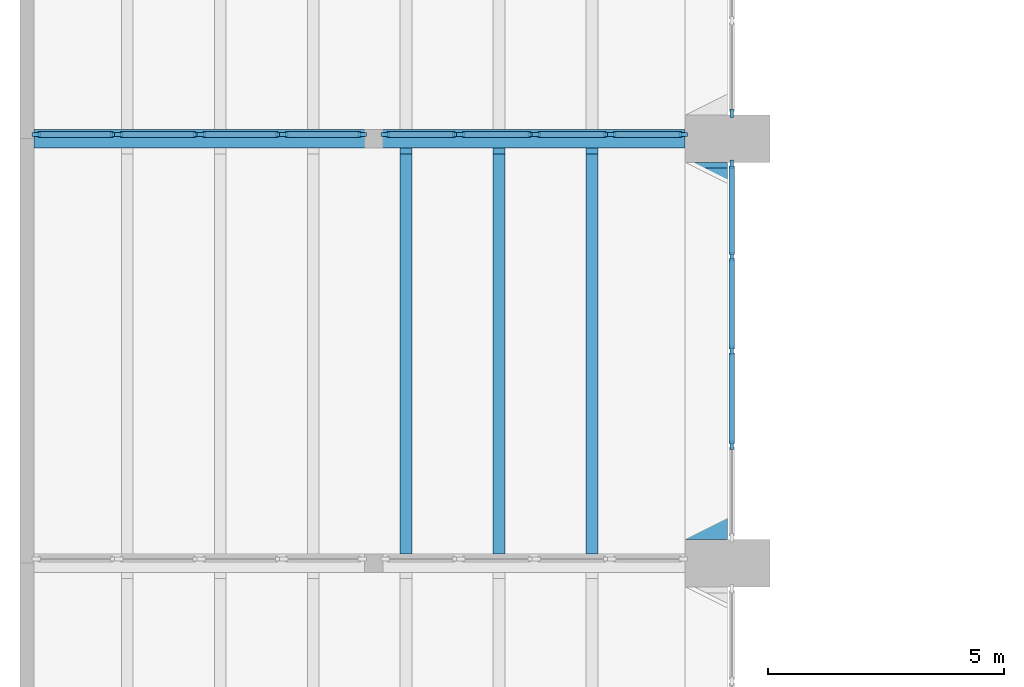
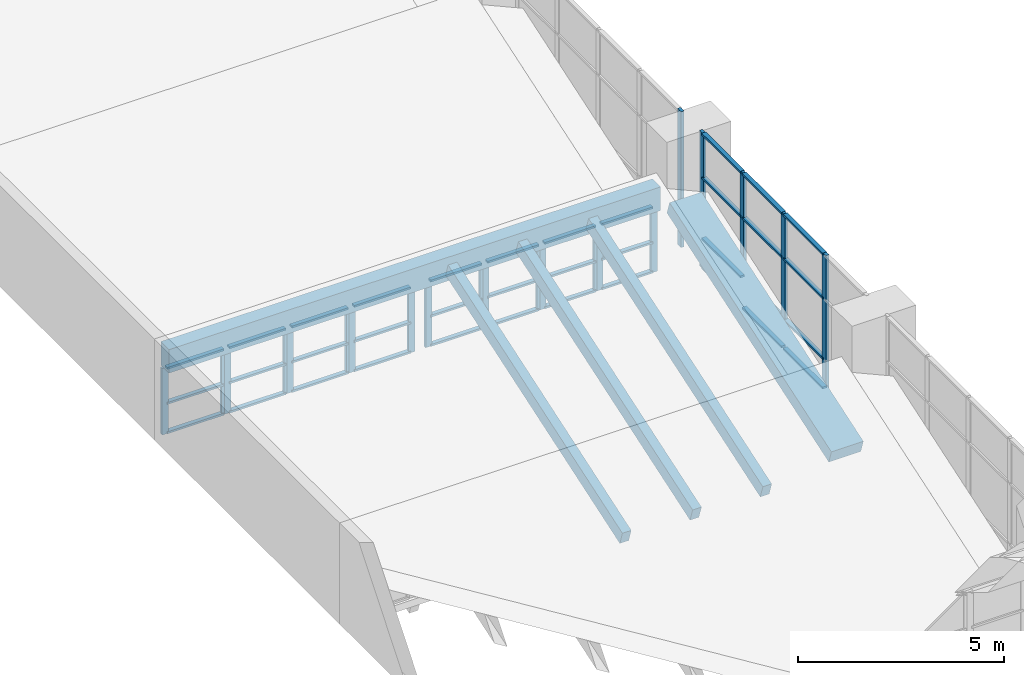
# One storey, part 11 of 43: 57 members, 5 beams, 10 elements without a shape of their own.
"""IFC4 building model written with IfcOpenShell, lengths in metres."""

import ifcopenshell
import ifcopenshell.guid

model = None  # the IFC model being written
_history = None  # IfcOwnerHistory: only IFC2X3 demands one
_inside = {}  # id of a spatial element -> (the spatial element, [elements in it])
_under = {}  # id of a project, library or spatial element -> (it, [spatial elements below it])
_declared = {}  # id of a project -> (the project, [libraries it declares])
_typed = {}  # id of a type object -> (the type object, [elements of that type])
_made_of = {}  # id of a material, layer set ... -> (it, [elements and type objects made of it])


def new_model(schema):
    """Start an empty IFC model of exactly this schema.

    Asked for "IFC4X3", IfcOpenShell would pick the latest addendum, in which some entities
    have other attributes; the version numbers below select the first issue.
    IFC2X3 requires an IfcOwnerHistory on every rooted entity: one is made here for all.
    """
    global model, _history
    if schema == "IFC4X3":
        model = ifcopenshell.file(schema_version=(4, 3, 0, 0))
    else:
        model = ifcopenshell.file(schema=schema)
    _inside.clear()
    _under.clear()
    _declared.clear()
    _typed.clear()
    _made_of.clear()
    _history = None
    if model.schema == "IFC2X3":
        org = make("IfcOrganization", Name="unknown")
        user = make(
            "IfcPersonAndOrganization",
            ThePerson=make("IfcPerson", FamilyName="unknown"),
            TheOrganization=org,
        )
        app = make(
            "IfcApplication",
            ApplicationDeveloper=org,
            Version="unknown",
            ApplicationFullName="unknown",
            ApplicationIdentifier="unknown",
        )
        _history = make(
            "IfcOwnerHistory",
            OwningUser=user,
            OwningApplication=app,
            ChangeAction="ADDED",
            CreationDate=0,
        )
    return model


def make(cls, **values):
    """One entity of the class cls with the attributes given. An attribute that is None is left unset."""
    return model.create_entity(
        cls, **{name: value for name, value in values.items() if value is not None}
    )


def rooted(cls, **values):
    """An entity with a GlobalId (a new one), such as an element, a storey or a relation."""
    return make(cls, GlobalId=ifcopenshell.guid.new(), OwnerHistory=_history, **values)


def si_unit(unit_type, name, prefix=None):
    """IfcSIUnit, for example si_unit("LENGTHUNIT", "METRE", prefix="MILLI")."""
    return make("IfcSIUnit", UnitType=unit_type, Prefix=prefix, Name=name)


def assignment(units):
    """IfcUnitAssignment: the units of a project."""
    return None if units is None else make("IfcUnitAssignment", Units=units)


def point(xyz):
    """IfcCartesianPoint."""
    return None if xyz is None else make("IfcCartesianPoint", Coordinates=xyz)


def direction(xyz):
    """IfcDirection."""
    return None if xyz is None else make("IfcDirection", DirectionRatios=xyz)


def frame(location, z_axis=None, x_axis=None):
    """IfcAxis2Placement3D, a coordinate frame: its origin and axes. An axis left out is left unset."""
    return make(
        "IfcAxis2Placement3D",
        Location=point(location),
        Axis=direction(z_axis),
        RefDirection=direction(x_axis),
    )


def frame_2d(location, x_axis=None):
    """IfcAxis2Placement2D, a coordinate frame in the plane: its origin and x axis."""
    return make(
        "IfcAxis2Placement2D", Location=point(location), RefDirection=direction(x_axis)
    )


def origin():
    """The frame at (0, 0, 0) with its axes left unset."""
    return frame((0.0, 0.0, 0.0))


def origin_2d():
    """The frame at (0, 0) in the plane with its x axis left unset."""
    return frame_2d((0.0, 0.0))


def place(relative_to, where):
    """IfcLocalPlacement: puts the frame where relative to a parent placement (None: the world)."""
    return make(
        "IfcLocalPlacement", PlacementRelTo=relative_to, RelativePlacement=where
    )


def context(
    kind, dimensions, precision=None, world=None, true_north=None, identifier=None
):
    """IfcGeometricRepresentationContext, for example the 3D "Model" context."""
    return make(
        "IfcGeometricRepresentationContext",
        ContextIdentifier=identifier,
        ContextType=kind,
        CoordinateSpaceDimension=dimensions,
        Precision=precision,
        WorldCoordinateSystem=world,
        TrueNorth=true_north,
    )


def subcontext(parent, identifier, kind, view, scale=None):
    """IfcGeometricRepresentationSubContext, for example "Body" below "Model"."""
    return make(
        "IfcGeometricRepresentationSubContext",
        ContextIdentifier=identifier,
        ContextType=kind,
        ParentContext=parent,
        TargetScale=scale,
        TargetView=view,
    )


def project(units=None, contexts=None):
    """IfcProject with its units and contexts."""
    return rooted(
        "IfcProject",
        Name="project",
        RepresentationContexts=contexts,
        UnitsInContext=assignment(units),
    )


def spatial(cls, under=None, at=None, **own):
    """A site, building, storey or space (cls), placed at a placement, below another one or the project."""
    s = rooted(cls, ObjectPlacement=at, **own)
    if under is not None:
        _under.setdefault(under.id(), (under, []))[1].append(s)
    return s


def profile(cls, at=None, kind="AREA", **sizes):
    """A parametric profile (cls). Its sizes go by their IFC names, for example OverallWidth=200.0."""
    return make(cls, ProfileType=kind, Position=at, **sizes)


def rectangle(**sizes):
    """IfcRectangleProfileDef."""
    return profile("IfcRectangleProfileDef", **sizes)


def extrude(swept, where, along, depth):
    """IfcExtrudedAreaSolid: the profile swept, set in the frame where, extruded along a direction by depth."""
    return make(
        "IfcExtrudedAreaSolid",
        SweptArea=swept,
        Position=where,
        ExtrudedDirection=direction(along),
        Depth=depth,
    )


def shape(context_of_items, identifier, shape_type, items):
    """IfcShapeRepresentation: the items that make up one representation, for example the "Body"."""
    return make(
        "IfcShapeRepresentation",
        ContextOfItems=context_of_items,
        RepresentationIdentifier=identifier,
        RepresentationType=shape_type,
        Items=items,
    )


def material(Name=None, Category=None):
    """IfcMaterial."""
    return make("IfcMaterial", Name=Name, Category=Category)


def material_profile(
    of_material, cross_section, Name=None, Category=None, Priority=None
):
    """IfcMaterialProfile: a cross section and its material."""
    return make(
        "IfcMaterialProfile",
        Name=Name,
        Material=of_material,
        Profile=cross_section,
        Priority=Priority,
        Category=Category,
    )


def profile_set(profiles, Name=None, composite=None):
    """IfcMaterialProfileSet."""
    return make(
        "IfcMaterialProfileSet",
        Name=Name,
        MaterialProfiles=profiles,
        CompositeProfile=composite,
    )


def made_of(thing, what):
    """Note that an element or type object is made of a material, layer set ...; save() writes the relation."""
    if what is not None:
        _made_of.setdefault(what.id(), (what, []))[1].append(thing)
    return thing


def type_object(cls, material=None, **own):
    """A type object (cls), such as IfcWallType, which elements share."""
    return made_of(rooted(cls, **own), material)


def element(
    cls,
    number,
    at=None,
    inside=None,
    cuts=None,
    type_object=None,
    material=None,
    context=None,
    identifier="Body",
    shape_type=None,
    held_by="IfcProductDefinitionShape",
    body=None,
    shapes=None,
    **own,
):
    """One element of the class cls, such as IfcWall. Its Tag is "e" and its number.

    at: its placement. inside: the storey or other place that contains it. cuts: it is an
    opening in that element (IfcRelVoidsElement). A single representation is given by context,
    identifier, shape_type and body (its items); several are given by shapes. held_by: the class
    of the entity that holds the representations. save() writes the other relations.
    """
    e = rooted(cls, Tag="e%d" % number, ObjectPlacement=at, **own)
    if body is not None:
        shapes = [shape(context, identifier, shape_type, body)]
    if shapes is not None:
        e.Representation = make(held_by, Representations=shapes)
    if inside is not None:
        _inside.setdefault(inside.id(), (inside, []))[1].append(e)
    if cuts is not None:
        rooted(
            "IfcRelVoidsElement", RelatingBuildingElement=cuts, RelatedOpeningElement=e
        )
    if type_object is not None:
        _typed.setdefault(type_object.id(), (type_object, []))[1].append(e)
    return made_of(e, material)


def aggregate(whole, parts):
    """IfcRelAggregates: a whole, such as a stair, and the parts it consists of."""
    return rooted("IfcRelAggregates", RelatingObject=whole, RelatedObjects=parts)


def save(model, path):
    """Write the relations noted so far, then the file.

    IfcRelAggregates (storeys below a building ...), IfcRelContainedInSpatialStructure (elements
    in a storey), IfcRelDefinesByType, IfcRelAssociatesMaterial and IfcRelDeclares: one each for
    every whole, place, type object, material and project.
    """
    for whole, parts in _under.values():
        aggregate(whole, parts)
    for where, things in _inside.values():
        rooted(
            "IfcRelContainedInSpatialStructure",
            RelatedElements=things,
            RelatingStructure=where,
        )
    for kind, things in _typed.values():
        rooted("IfcRelDefinesByType", RelatedObjects=things, RelatingType=kind)
    for what, things in _made_of.values():
        rooted("IfcRelAssociatesMaterial", RelatedObjects=things, RelatingMaterial=what)
    for by, libraries in _declared.values():
        rooted("IfcRelDeclares", RelatingContext=by, RelatedDefinitions=libraries)
    model.write(path)


model = new_model("IFC4")

# Units and contexts
model_context = context("Model", 3, precision=1e-05, world=origin(), true_north=direction((0.0, 1.0)))
body_context = subcontext(model_context, "Body", "Model", "MODEL_VIEW")
ifc_project = project(units=[si_unit("LENGTHUNIT", "METRE"), si_unit("AREAUNIT", "SQUARE_METRE"), si_unit("VOLUMEUNIT", "CUBIC_METRE"), si_unit("PLANEANGLEUNIT", "RADIAN"), si_unit("MASSUNIT", "GRAM", prefix="KILO")], contexts=[model_context])

# Site, building, storey
site_placement = place(None, origin())
site = spatial("IfcSite", under=ifc_project, at=site_placement, CompositionType="ELEMENT")
building_placement = place(site_placement, origin())
building = spatial("IfcBuilding", under=site, at=building_placement, Name="Elmora Arch Market Hall", CompositionType="ELEMENT")
storey_placement = place(building_placement, frame((0.0, 0.0, 10.199951171875)))
storey = spatial("IfcBuildingStorey", under=building, at=storey_placement, Name="L02", CompositionType="ELEMENT", Elevation=10.199951171875)

# Curtain wall, members
ifc_material_1 = material(Name="Aluminium", Category="aluminium")
curtain_wall_type_1 = type_object("IfcCurtainWallType", Name="Hall front curtain wall", PredefinedType="NOTDEFINED", material=ifc_material_1)
curtain_wall_1_placement = place(storey_placement, origin())
curtain_wall_1 = element("IfcCurtainWall", 1, at=curtain_wall_1_placement, inside=storey, type_object=curtain_wall_type_1, Name="Hall west glazing L02 6", PredefinedType="NOTDEFINED")
ifc_material_2 = material(Name="Aluminium", Category="aluminium")
ifc_material_profile_1 = material_profile(ifc_material_2, rectangle(XDim=0.080078125, YDim=0.179931640625, at=origin_2d()), Name="AL 80x180")
ifc_profile_set_1 = profile_set([ifc_material_profile_1], Name="Aluminium")
member_type_1 = type_object("IfcMemberType", Name="Mullion 80x180", PredefinedType="MULLION", material=ifc_profile_set_1)
member_1_placement = place(storey_placement, frame((15.090087890625, 74.5, 0.166748046875), z_axis=(0.0, 0.0, 1.0), x_axis=(-1.0, 0.0, 0.0)))
member_1 = element("IfcMember", 2, at=member_1_placement, type_object=member_type_1, Name="CW2 mullion 2", PredefinedType="MULLION", context=body_context, shape_type="SweptSolid", body=[
    extrude(rectangle(XDim=0.080078125, YDim=0.179931640625, at=origin_2d()), origin(), (0.0, 0.0, 1.0), 4.033203125),
])
member_2_placement = place(storey_placement, frame((15.090087890625, 76.5, 0.166748046875), z_axis=(0.0, 0.0, 1.0), x_axis=(-1.0, 0.0, 0.0)))
member_2 = element("IfcMember", 3, at=member_2_placement, type_object=member_type_1, Name="CW2 mullion 3", PredefinedType="MULLION", context=body_context, shape_type="SweptSolid", body=[
    extrude(rectangle(XDim=0.080078125, YDim=0.179931640625, at=origin_2d()), origin(), (0.0, 0.0, 1.0), 4.033203125),
])
member_3_placement = place(storey_placement, frame((15.090087890625, 78.5, 0.166748046875), z_axis=(0.0, 0.0, 1.0), x_axis=(-1.0, 0.0, 0.0)))
member_3 = element("IfcMember", 4, at=member_3_placement, type_object=member_type_1, Name="CW2 mullion 4", PredefinedType="MULLION", context=body_context, shape_type="SweptSolid", body=[
    extrude(rectangle(XDim=0.080078125, YDim=0.179931640625, at=origin_2d()), origin(), (0.0, 0.0, 1.0), 4.033203125),
])
member_4_placement = place(storey_placement, frame((15.090087890625, 80.4599609375, 0.166748046875), z_axis=(0.0, 0.0, 1.0), x_axis=(-1.0, 0.0, 0.0)))
member_4 = element("IfcMember", 5, at=member_4_placement, type_object=member_type_1, Name="CW2 mullion 5", PredefinedType="MULLION", context=body_context, shape_type="SweptSolid", body=[
    extrude(rectangle(XDim=0.080078125, YDim=0.179931640625, at=origin_2d()), origin(), (0.0, 0.0, 1.0), 4.033203125),
])

# Curtain wall, member
curtain_wall_2_placement = place(storey_placement, origin())
curtain_wall_2 = element("IfcCurtainWall", 6, at=curtain_wall_2_placement, inside=storey, type_object=curtain_wall_type_1, Name="Hall west glazing L02 7", PredefinedType="NOTDEFINED")
member_5_placement = place(storey_placement, frame((15.090087890625, 81.5400390625, 0.166748046875), z_axis=(0.0, 0.0, 1.0), x_axis=(-1.0, 0.0, 0.0)))
member_5 = element("IfcMember", 7, at=member_5_placement, type_object=member_type_1, Name="CW2 mullion 1", PredefinedType="MULLION", context=body_context, shape_type="SweptSolid", body=[
    extrude(rectangle(XDim=0.080078125, YDim=0.179931640625, at=origin_2d()), origin(), (0.0, 0.0, 1.0), 4.033203125),
])
aggregate(curtain_wall_2, [member_5])

# Curtain wall, members
ifc_material_3 = material(Name="Aluminium", Category="aluminium")
curtain_wall_type_2 = type_object("IfcCurtainWallType", Name="Sawtooth glazing curtain wall", PredefinedType="NOTDEFINED", material=ifc_material_3)
curtain_wall_3_placement = place(storey_placement, origin())
curtain_wall_3 = element("IfcCurtainWall", 8, at=curtain_wall_3_placement, inside=storey, type_object=curtain_wall_type_2, Name="Sawtooth riser 6 part 1.1", PredefinedType="NOTDEFINED")
member_6_placement = place(storey_placement, frame((0.340087890625, 81.090087890625, 0.030029296875), z_axis=(0.0, 0.0, 1.0), x_axis=(0.0, 1.0, 0.0)))
member_6 = element("IfcMember", 9, at=member_6_placement, type_object=member_type_1, Name="CW7 mullion 1", PredefinedType="MULLION", context=body_context, shape_type="SweptSolid", body=[
    extrude(rectangle(XDim=0.080078125, YDim=0.179931640625, at=origin_2d()), origin(), (0.0, 0.0, 1.0), 1.969970703125),
])
member_7_placement = place(storey_placement, frame((2.010009765625, 81.090087890625, 0.030029296875), z_axis=(0.0, 0.0, 1.0), x_axis=(0.0, 1.0, 0.0)))
member_7 = element("IfcMember", 10, at=member_7_placement, type_object=member_type_1, Name="CW7 mullion 2", PredefinedType="MULLION", context=body_context, shape_type="SweptSolid", body=[
    extrude(rectangle(XDim=0.080078125, YDim=0.179931640625, at=origin_2d()), origin(), (0.0, 0.0, 1.0), 1.969970703125),
])

curtain_wall_4_placement = place(storey_placement, origin())
curtain_wall_4 = element("IfcCurtainWall", 11, at=curtain_wall_4_placement, inside=storey, type_object=curtain_wall_type_2, Name="Sawtooth riser 6 part 1.2", PredefinedType="NOTDEFINED")
member_8_placement = place(storey_placement, frame((2.090087890625, 81.090087890625, 0.030029296875), z_axis=(0.0, 0.0, 1.0), x_axis=(0.0, 1.0, 0.0)))
member_8 = element("IfcMember", 12, at=member_8_placement, type_object=member_type_1, Name="CW7 mullion 1", PredefinedType="MULLION", context=body_context, shape_type="SweptSolid", body=[
    extrude(rectangle(XDim=0.080078125, YDim=0.179931640625, at=origin_2d()), origin(), (0.0, 0.0, 1.0), 1.969970703125),
])
member_9_placement = place(storey_placement, frame((3.760009765625, 81.090087890625, 0.030029296875), z_axis=(0.0, 0.0, 1.0), x_axis=(0.0, 1.0, 0.0)))
member_9 = element("IfcMember", 13, at=member_9_placement, type_object=member_type_1, Name="CW7 mullion 2", PredefinedType="MULLION", context=body_context, shape_type="SweptSolid", body=[
    extrude(rectangle(XDim=0.080078125, YDim=0.179931640625, at=origin_2d()), origin(), (0.0, 0.0, 1.0), 1.969970703125),
])

curtain_wall_5_placement = place(storey_placement, origin())
curtain_wall_5 = element("IfcCurtainWall", 14, at=curtain_wall_5_placement, inside=storey, type_object=curtain_wall_type_2, Name="Sawtooth riser 6 part 1.3", PredefinedType="NOTDEFINED")
member_10_placement = place(storey_placement, frame((3.840087890625, 81.090087890625, 0.030029296875), z_axis=(0.0, 0.0, 1.0), x_axis=(0.0, 1.0, 0.0)))
member_10 = element("IfcMember", 15, at=member_10_placement, type_object=member_type_1, Name="CW7 mullion 1", PredefinedType="MULLION", context=body_context, shape_type="SweptSolid", body=[
    extrude(rectangle(XDim=0.080078125, YDim=0.179931640625, at=origin_2d()), origin(), (0.0, 0.0, 1.0), 1.969970703125),
])
member_11_placement = place(storey_placement, frame((5.510009765625, 81.090087890625, 0.030029296875), z_axis=(0.0, 0.0, 1.0), x_axis=(0.0, 1.0, 0.0)))
member_11 = element("IfcMember", 16, at=member_11_placement, type_object=member_type_1, Name="CW7 mullion 2", PredefinedType="MULLION", context=body_context, shape_type="SweptSolid", body=[
    extrude(rectangle(XDim=0.080078125, YDim=0.179931640625, at=origin_2d()), origin(), (0.0, 0.0, 1.0), 1.969970703125),
])

curtain_wall_6_placement = place(storey_placement, origin())
curtain_wall_6 = element("IfcCurtainWall", 17, at=curtain_wall_6_placement, inside=storey, type_object=curtain_wall_type_2, Name="Sawtooth riser 6 part 1.4", PredefinedType="NOTDEFINED")
member_12_placement = place(storey_placement, frame((5.590087890625, 81.090087890625, 0.030029296875), z_axis=(0.0, 0.0, 1.0), x_axis=(0.0, 1.0, 0.0)))
member_12 = element("IfcMember", 18, at=member_12_placement, type_object=member_type_1, Name="CW7 mullion 1", PredefinedType="MULLION", context=body_context, shape_type="SweptSolid", body=[
    extrude(rectangle(XDim=0.080078125, YDim=0.179931640625, at=origin_2d()), origin(), (0.0, 0.0, 1.0), 1.969970703125),
])
member_13_placement = place(storey_placement, frame((7.260009765625, 81.090087890625, 0.030029296875), z_axis=(0.0, 0.0, 1.0), x_axis=(0.0, 1.0, 0.0)))
member_13 = element("IfcMember", 19, at=member_13_placement, type_object=member_type_1, Name="CW7 mullion 2", PredefinedType="MULLION", context=body_context, shape_type="SweptSolid", body=[
    extrude(rectangle(XDim=0.080078125, YDim=0.179931640625, at=origin_2d()), origin(), (0.0, 0.0, 1.0), 1.969970703125),
])

curtain_wall_7_placement = place(storey_placement, origin())
curtain_wall_7 = element("IfcCurtainWall", 20, at=curtain_wall_7_placement, inside=storey, type_object=curtain_wall_type_2, Name="Sawtooth riser 6 part 2.1", PredefinedType="NOTDEFINED")
member_14_placement = place(storey_placement, frame((7.739990234375, 81.090087890625, 0.030029296875), z_axis=(0.0, 0.0, 1.0), x_axis=(0.0, 1.0, 0.0)))
member_14 = element("IfcMember", 21, at=member_14_placement, type_object=member_type_1, Name="CW7 mullion 1", PredefinedType="MULLION", context=body_context, shape_type="SweptSolid", body=[
    extrude(rectangle(XDim=0.080078125, YDim=0.179931640625, at=origin_2d()), origin(), (0.0, 0.0, 1.0), 1.969970703125),
])
member_15_placement = place(storey_placement, frame((9.260009765625, 81.090087890625, 0.030029296875), z_axis=(0.0, 0.0, 1.0), x_axis=(0.0, 1.0, 0.0)))
member_15 = element("IfcMember", 22, at=member_15_placement, type_object=member_type_1, Name="CW7 mullion 2", PredefinedType="MULLION", context=body_context, shape_type="SweptSolid", body=[
    extrude(rectangle(XDim=0.080078125, YDim=0.179931640625, at=origin_2d()), origin(), (0.0, 0.0, 1.0), 1.969970703125),
])

curtain_wall_8_placement = place(storey_placement, origin())
curtain_wall_8 = element("IfcCurtainWall", 23, at=curtain_wall_8_placement, inside=storey, type_object=curtain_wall_type_2, Name="Sawtooth riser 6 part 2.2", PredefinedType="NOTDEFINED")
member_16_placement = place(storey_placement, frame((9.340087890625, 81.090087890625, 0.030029296875), z_axis=(0.0, 0.0, 1.0), x_axis=(0.0, 1.0, 0.0)))
member_16 = element("IfcMember", 24, at=member_16_placement, type_object=member_type_1, Name="CW7 mullion 1", PredefinedType="MULLION", context=body_context, shape_type="SweptSolid", body=[
    extrude(rectangle(XDim=0.080078125, YDim=0.179931640625, at=origin_2d()), origin(), (0.0, 0.0, 1.0), 1.969970703125),
])
member_17_placement = place(storey_placement, frame((10.860107421875, 81.090087890625, 0.030029296875), z_axis=(0.0, 0.0, 1.0), x_axis=(0.0, 1.0, 0.0)))
member_17 = element("IfcMember", 25, at=member_17_placement, type_object=member_type_1, Name="CW7 mullion 2", PredefinedType="MULLION", context=body_context, shape_type="SweptSolid", body=[
    extrude(rectangle(XDim=0.080078125, YDim=0.179931640625, at=origin_2d()), origin(), (0.0, 0.0, 1.0), 1.969970703125),
])

curtain_wall_9_placement = place(storey_placement, origin())
curtain_wall_9 = element("IfcCurtainWall", 26, at=curtain_wall_9_placement, inside=storey, type_object=curtain_wall_type_2, Name="Sawtooth riser 6 part 2.3", PredefinedType="NOTDEFINED")
member_18_placement = place(storey_placement, frame((10.93994140625, 81.090087890625, 0.030029296875), z_axis=(0.0, 0.0, 1.0), x_axis=(0.0, 1.0, 0.0)))
member_18 = element("IfcMember", 27, at=member_18_placement, type_object=member_type_1, Name="CW7 mullion 1", PredefinedType="MULLION", context=body_context, shape_type="SweptSolid", body=[
    extrude(rectangle(XDim=0.080078125, YDim=0.179931640625, at=origin_2d()), origin(), (0.0, 0.0, 1.0), 1.969970703125),
])
member_19_placement = place(storey_placement, frame((12.4599609375, 81.090087890625, 0.030029296875), z_axis=(0.0, 0.0, 1.0), x_axis=(0.0, 1.0, 0.0)))
member_19 = element("IfcMember", 28, at=member_19_placement, type_object=member_type_1, Name="CW7 mullion 2", PredefinedType="MULLION", context=body_context, shape_type="SweptSolid", body=[
    extrude(rectangle(XDim=0.080078125, YDim=0.179931640625, at=origin_2d()), origin(), (0.0, 0.0, 1.0), 1.969970703125),
])

curtain_wall_10_placement = place(storey_placement, origin())
curtain_wall_10 = element("IfcCurtainWall", 29, at=curtain_wall_10_placement, inside=storey, type_object=curtain_wall_type_2, Name="Sawtooth riser 6 part 2.4", PredefinedType="NOTDEFINED")
member_20_placement = place(storey_placement, frame((12.5400390625, 81.090087890625, 0.030029296875), z_axis=(0.0, 0.0, 1.0), x_axis=(0.0, 1.0, 0.0)))
member_20 = element("IfcMember", 30, at=member_20_placement, type_object=member_type_1, Name="CW7 mullion 1", PredefinedType="MULLION", context=body_context, shape_type="SweptSolid", body=[
    extrude(rectangle(XDim=0.080078125, YDim=0.179931640625, at=origin_2d()), origin(), (0.0, 0.0, 1.0), 1.969970703125),
])
member_21_placement = place(storey_placement, frame((14.06005859375, 81.090087890625, 0.030029296875), z_axis=(0.0, 0.0, 1.0), x_axis=(0.0, 1.0, 0.0)))
member_21 = element("IfcMember", 31, at=member_21_placement, type_object=member_type_1, Name="CW7 mullion 2", PredefinedType="MULLION", context=body_context, shape_type="SweptSolid", body=[
    extrude(rectangle(XDim=0.080078125, YDim=0.179931640625, at=origin_2d()), origin(), (0.0, 0.0, 1.0), 1.969970703125),
])

# Beams
ifc_material_4 = material(Name="Concrete C32/40", Category="concrete")
ifc_material_profile_2 = material_profile(ifc_material_4, rectangle(XDim=0.39990234375, YDim=0.699951171875, at=origin_2d()), Name="Ridge beam 400x700")
ifc_profile_set_2 = profile_set([ifc_material_profile_2], Name="Concrete C32/40")
beam_type_1 = type_object("IfcBeamType", Name="Ridge beam 400x700", PredefinedType="BEAM", material=ifc_profile_set_2)
beam_1_placement = place(storey_placement, frame((0.300048828125, 81.0, 2.35009765625), z_axis=(1.0, 0.0, 0.0), x_axis=(0.0, 1.0, 0.0)))
element("IfcBeam", 32, at=beam_1_placement, inside=storey, type_object=beam_type_1, Name="Ridge beam RB6 L02.1", PredefinedType="BEAM", context=body_context, shape_type="SweptSolid", body=[
    extrude(rectangle(XDim=0.39990234375, YDim=0.699951171875, at=origin_2d()), origin(), (0.0, 0.0, 1.0), 13.800048828125),
])
ifc_material_5 = material(Name="Concrete C32/40", Category="concrete")
ifc_material_profile_3 = material_profile(ifc_material_5, rectangle(XDim=0.89990234375, YDim=0.39990234375, at=origin_2d()), Name="Sawtooth edge beam 900x400")
ifc_profile_set_3 = profile_set([ifc_material_profile_3], Name="Concrete C32/40")
beam_type_2 = type_object("IfcBeamType", Name="Sawtooth edge beam 900x400", PredefinedType="BEAM", material=ifc_profile_set_3)
beam_2_placement = place(storey_placement, frame((14.550048828125, 72.563232421875, -0.322998046875), z_axis=(0.0, 0.948683298051, 0.316227766017), x_axis=(-1.0, 0.0, 0.0)))
element("IfcBeam", 33, at=beam_2_placement, inside=storey, type_object=beam_type_2, Name="Sawtooth edge beam 6", PredefinedType="BEAM", context=body_context, shape_type="SweptSolid", body=[
    extrude(rectangle(XDim=0.89990234375, YDim=0.39990234375, at=origin_2d()), origin(), (0.0, 0.0, 1.0), 8.29931640625),
])
ifc_material_6 = material(Name="Concrete C32/40", Category="concrete")
ifc_material_profile_4 = material_profile(ifc_material_6, rectangle(XDim=0.25, YDim=0.39990234375, at=origin_2d()), Name="Sawtooth rafter 250x400")
ifc_profile_set_4 = profile_set([ifc_material_profile_4], Name="Concrete C32/40")
beam_type_3 = type_object("IfcBeamType", Name="Sawtooth rafter 250x400", PredefinedType="BEAM", material=ifc_profile_set_4)
for number, where, z_axis, x_axis, name in (
    (34, (8.185791015625, 72.26318359375, -0.443115234375), (0.0, 0.94868603135, 0.316219565999), (-1.0, 0.0, 0.0), "Sawtooth rafter 6.4"),
    (35, (10.156982421875, 72.26318359375, -0.443115234375), (0.0, 0.94868603135, 0.316219565999), (-1.0, 0.0, 0.0), "Sawtooth rafter 6.5"),
    (36, (12.128662109375, 72.26318359375, -0.443115234375), (0.0, 0.94868603135, 0.316219565999), (-1.0, 0.0, 0.0), "Sawtooth rafter 6.6"),
):
    element("IfcBeam", number, at=place(storey_placement, frame(where, z_axis=z_axis, x_axis=x_axis)), inside=storey, type_object=beam_type_3, Name=name, PredefinedType="BEAM", context=body_context, shape_type="SweptSolid", body=[
        extrude(rectangle(XDim=0.25, YDim=0.39990234375, at=origin_2d()), origin(), (0.0, 0.0, 1.0), 8.931884765625),
    ])

# Member
ifc_material_7 = material(Name="Aluminium", Category="aluminium")
ifc_material_profile_5 = material_profile(ifc_material_7, rectangle(XDim=0.1201171875, YDim=0.06005859375, at=origin_2d()), Name="AL 120x60")
ifc_profile_set_5 = profile_set([ifc_material_profile_5], Name="Aluminium")
member_type_2 = type_object("IfcMemberType", Name="Transom 120x60", PredefinedType="USERDEFINED", material=ifc_profile_set_5)
member_22_placement = place(storey_placement, frame((15.090087890625, 74.5400390625, 0.19677734375), z_axis=(0.0, 1.0, 0.0), x_axis=(-1.0, 0.0, 0.0)))
member_22 = element("IfcMember", 37, at=member_22_placement, type_object=member_type_2, Name="CW2 transom 2.1", ObjectType="TRANSOM", PredefinedType="USERDEFINED", context=body_context, shape_type="SweptSolid", body=[
    extrude(rectangle(XDim=0.1201171875, YDim=0.06005859375, at=origin_2d()), origin(), (0.0, 0.0, 1.0), 1.919921875),
])

member_23_placement = place(storey_placement, frame((15.090087890625, 74.5400390625, 1.066650390625), z_axis=(0.0, 1.0, 0.0), x_axis=(-1.0, 0.0, 0.0)))
member_23 = element("IfcMember", 38, at=member_23_placement, type_object=member_type_2, Name="CW2 transom 2.2", ObjectType="TRANSOM", PredefinedType="USERDEFINED", context=body_context, shape_type="SweptSolid", body=[
    extrude(rectangle(XDim=0.1201171875, YDim=0.06005859375, at=origin_2d()), origin(), (0.0, 0.0, 1.0), 1.919921875),
])

member_24_placement = place(storey_placement, frame((15.090087890625, 74.5400390625, 2.86669921875), z_axis=(0.0, 1.0, 0.0), x_axis=(-1.0, 0.0, 0.0)))
member_24 = element("IfcMember", 39, at=member_24_placement, type_object=member_type_2, Name="CW2 transom 2.3", ObjectType="TRANSOM", PredefinedType="USERDEFINED", context=body_context, shape_type="SweptSolid", body=[
    extrude(rectangle(XDim=0.1201171875, YDim=0.06005859375, at=origin_2d()), origin(), (0.0, 0.0, 1.0), 1.919921875),
])

member_25_placement = place(storey_placement, frame((15.090087890625, 74.5400390625, 4.170166015625), z_axis=(0.0, 1.0, 0.0), x_axis=(-1.0, 0.0, 0.0)))
member_25 = element("IfcMember", 40, at=member_25_placement, type_object=member_type_2, Name="CW2 transom 2.4", ObjectType="TRANSOM", PredefinedType="USERDEFINED", context=body_context, shape_type="SweptSolid", body=[
    extrude(rectangle(XDim=0.1201171875, YDim=0.06005859375, at=origin_2d()), origin(), (0.0, 0.0, 1.0), 1.919921875),
])

member_26_placement = place(storey_placement, frame((15.090087890625, 76.5400390625, 0.19677734375), z_axis=(0.0, 1.0, 0.0), x_axis=(-1.0, 0.0, 0.0)))
member_26 = element("IfcMember", 41, at=member_26_placement, type_object=member_type_2, Name="CW2 transom 3.1", ObjectType="TRANSOM", PredefinedType="USERDEFINED", context=body_context, shape_type="SweptSolid", body=[
    extrude(rectangle(XDim=0.1201171875, YDim=0.06005859375, at=origin_2d()), origin(), (0.0, 0.0, 1.0), 1.919921875),
])

member_27_placement = place(storey_placement, frame((15.090087890625, 76.5400390625, 1.066650390625), z_axis=(0.0, 1.0, 0.0), x_axis=(-1.0, 0.0, 0.0)))
member_27 = element("IfcMember", 42, at=member_27_placement, type_object=member_type_2, Name="CW2 transom 3.2", ObjectType="TRANSOM", PredefinedType="USERDEFINED", context=body_context, shape_type="SweptSolid", body=[
    extrude(rectangle(XDim=0.1201171875, YDim=0.06005859375, at=origin_2d()), origin(), (0.0, 0.0, 1.0), 1.919921875),
])

member_28_placement = place(storey_placement, frame((15.090087890625, 76.5400390625, 2.86669921875), z_axis=(0.0, 1.0, 0.0), x_axis=(-1.0, 0.0, 0.0)))
member_28 = element("IfcMember", 43, at=member_28_placement, type_object=member_type_2, Name="CW2 transom 3.3", ObjectType="TRANSOM", PredefinedType="USERDEFINED", context=body_context, shape_type="SweptSolid", body=[
    extrude(rectangle(XDim=0.1201171875, YDim=0.06005859375, at=origin_2d()), origin(), (0.0, 0.0, 1.0), 1.919921875),
])

member_29_placement = place(storey_placement, frame((15.090087890625, 76.5400390625, 4.170166015625), z_axis=(0.0, 1.0, 0.0), x_axis=(-1.0, 0.0, 0.0)))
member_29 = element("IfcMember", 44, at=member_29_placement, type_object=member_type_2, Name="CW2 transom 3.4", ObjectType="TRANSOM", PredefinedType="USERDEFINED", context=body_context, shape_type="SweptSolid", body=[
    extrude(rectangle(XDim=0.1201171875, YDim=0.06005859375, at=origin_2d()), origin(), (0.0, 0.0, 1.0), 1.919921875),
])

member_30_placement = place(storey_placement, frame((15.090087890625, 78.5400390625, 0.19677734375), z_axis=(0.0, 1.0, 0.0), x_axis=(-1.0, 0.0, 0.0)))
member_30 = element("IfcMember", 45, at=member_30_placement, type_object=member_type_2, Name="CW2 transom 4.1", ObjectType="TRANSOM", PredefinedType="USERDEFINED", context=body_context, shape_type="SweptSolid", body=[
    extrude(rectangle(XDim=0.1201171875, YDim=0.06005859375, at=origin_2d()), origin(), (0.0, 0.0, 1.0), 1.8798828125),
])

member_31_placement = place(storey_placement, frame((15.090087890625, 78.5400390625, 1.066650390625), z_axis=(0.0, 1.0, 0.0), x_axis=(-1.0, 0.0, 0.0)))
member_31 = element("IfcMember", 46, at=member_31_placement, type_object=member_type_2, Name="CW2 transom 4.2", ObjectType="TRANSOM", PredefinedType="USERDEFINED", context=body_context, shape_type="SweptSolid", body=[
    extrude(rectangle(XDim=0.1201171875, YDim=0.06005859375, at=origin_2d()), origin(), (0.0, 0.0, 1.0), 1.8798828125),
])

member_32_placement = place(storey_placement, frame((15.090087890625, 78.5400390625, 2.86669921875), z_axis=(0.0, 1.0, 0.0), x_axis=(-1.0, 0.0, 0.0)))
member_32 = element("IfcMember", 47, at=member_32_placement, type_object=member_type_2, Name="CW2 transom 4.3", ObjectType="TRANSOM", PredefinedType="USERDEFINED", context=body_context, shape_type="SweptSolid", body=[
    extrude(rectangle(XDim=0.1201171875, YDim=0.06005859375, at=origin_2d()), origin(), (0.0, 0.0, 1.0), 1.8798828125),
])

member_33_placement = place(storey_placement, frame((15.090087890625, 78.5400390625, 4.170166015625), z_axis=(0.0, 1.0, 0.0), x_axis=(-1.0, 0.0, 0.0)))
member_33 = element("IfcMember", 48, at=member_33_placement, type_object=member_type_2, Name="CW2 transom 4.4", ObjectType="TRANSOM", PredefinedType="USERDEFINED", context=body_context, shape_type="SweptSolid", body=[
    extrude(rectangle(XDim=0.1201171875, YDim=0.06005859375, at=origin_2d()), origin(), (0.0, 0.0, 1.0), 1.8798828125),
])

aggregate(curtain_wall_1, [member_1, member_2, member_3, member_4, member_22, member_23, member_24, member_25, member_26, member_27, member_28, member_29, member_30, member_31, member_32, member_33])

member_34_placement = place(storey_placement, frame((0.3798828125, 81.090087890625, 0.06005859375), z_axis=(1.0, 0.0, 0.0), x_axis=(0.0, 1.0, 0.0)))
member_34 = element("IfcMember", 49, at=member_34_placement, type_object=member_type_2, Name="CW7 transom 1.1", ObjectType="TRANSOM", PredefinedType="USERDEFINED", context=body_context, shape_type="SweptSolid", body=[
    extrude(rectangle(XDim=0.1201171875, YDim=0.06005859375, at=origin_2d()), origin(), (0.0, 0.0, 1.0), 1.590087890625),
])

member_35_placement = place(storey_placement, frame((0.3798828125, 81.090087890625, 0.929931640625), z_axis=(1.0, 0.0, 0.0), x_axis=(0.0, 1.0, 0.0)))
member_35 = element("IfcMember", 50, at=member_35_placement, type_object=member_type_2, Name="CW7 transom 1.2", ObjectType="TRANSOM", PredefinedType="USERDEFINED", context=body_context, shape_type="SweptSolid", body=[
    extrude(rectangle(XDim=0.1201171875, YDim=0.06005859375, at=origin_2d()), origin(), (0.0, 0.0, 1.0), 1.590087890625),
])

member_36_placement = place(storey_placement, frame((0.3798828125, 81.090087890625, 1.969970703125), z_axis=(1.0, 0.0, 0.0), x_axis=(0.0, 1.0, 0.0)))
member_36 = element("IfcMember", 51, at=member_36_placement, type_object=member_type_2, Name="CW7 transom 1.3", ObjectType="TRANSOM", PredefinedType="USERDEFINED", context=body_context, shape_type="SweptSolid", body=[
    extrude(rectangle(XDim=0.1201171875, YDim=0.06005859375, at=origin_2d()), origin(), (0.0, 0.0, 1.0), 1.590087890625),
])

aggregate(curtain_wall_3, [member_6, member_7, member_34, member_35, member_36])

member_37_placement = place(storey_placement, frame((2.1298828125, 81.090087890625, 0.06005859375), z_axis=(1.0, 0.0, 0.0), x_axis=(0.0, 1.0, 0.0)))
member_37 = element("IfcMember", 52, at=member_37_placement, type_object=member_type_2, Name="CW7 transom 1.1", ObjectType="TRANSOM", PredefinedType="USERDEFINED", context=body_context, shape_type="SweptSolid", body=[
    extrude(rectangle(XDim=0.1201171875, YDim=0.06005859375, at=origin_2d()), origin(), (0.0, 0.0, 1.0), 1.590087890625),
])

member_38_placement = place(storey_placement, frame((2.1298828125, 81.090087890625, 0.929931640625), z_axis=(1.0, 0.0, 0.0), x_axis=(0.0, 1.0, 0.0)))
member_38 = element("IfcMember", 53, at=member_38_placement, type_object=member_type_2, Name="CW7 transom 1.2", ObjectType="TRANSOM", PredefinedType="USERDEFINED", context=body_context, shape_type="SweptSolid", body=[
    extrude(rectangle(XDim=0.1201171875, YDim=0.06005859375, at=origin_2d()), origin(), (0.0, 0.0, 1.0), 1.590087890625),
])

member_39_placement = place(storey_placement, frame((2.1298828125, 81.090087890625, 1.969970703125), z_axis=(1.0, 0.0, 0.0), x_axis=(0.0, 1.0, 0.0)))
member_39 = element("IfcMember", 54, at=member_39_placement, type_object=member_type_2, Name="CW7 transom 1.3", ObjectType="TRANSOM", PredefinedType="USERDEFINED", context=body_context, shape_type="SweptSolid", body=[
    extrude(rectangle(XDim=0.1201171875, YDim=0.06005859375, at=origin_2d()), origin(), (0.0, 0.0, 1.0), 1.590087890625),
])

aggregate(curtain_wall_4, [member_8, member_9, member_37, member_38, member_39])

member_40_placement = place(storey_placement, frame((3.8798828125, 81.090087890625, 0.06005859375), z_axis=(1.0, 0.0, 0.0), x_axis=(0.0, 1.0, 0.0)))
member_40 = element("IfcMember", 55, at=member_40_placement, type_object=member_type_2, Name="CW7 transom 1.1", ObjectType="TRANSOM", PredefinedType="USERDEFINED", context=body_context, shape_type="SweptSolid", body=[
    extrude(rectangle(XDim=0.1201171875, YDim=0.06005859375, at=origin_2d()), origin(), (0.0, 0.0, 1.0), 1.590087890625),
])

member_41_placement = place(storey_placement, frame((3.8798828125, 81.090087890625, 0.929931640625), z_axis=(1.0, 0.0, 0.0), x_axis=(0.0, 1.0, 0.0)))
member_41 = element("IfcMember", 56, at=member_41_placement, type_object=member_type_2, Name="CW7 transom 1.2", ObjectType="TRANSOM", PredefinedType="USERDEFINED", context=body_context, shape_type="SweptSolid", body=[
    extrude(rectangle(XDim=0.1201171875, YDim=0.06005859375, at=origin_2d()), origin(), (0.0, 0.0, 1.0), 1.590087890625),
])

member_42_placement = place(storey_placement, frame((3.8798828125, 81.090087890625, 1.969970703125), z_axis=(1.0, 0.0, 0.0), x_axis=(0.0, 1.0, 0.0)))
member_42 = element("IfcMember", 57, at=member_42_placement, type_object=member_type_2, Name="CW7 transom 1.3", ObjectType="TRANSOM", PredefinedType="USERDEFINED", context=body_context, shape_type="SweptSolid", body=[
    extrude(rectangle(XDim=0.1201171875, YDim=0.06005859375, at=origin_2d()), origin(), (0.0, 0.0, 1.0), 1.590087890625),
])

aggregate(curtain_wall_5, [member_10, member_11, member_40, member_41, member_42])

member_43_placement = place(storey_placement, frame((5.6298828125, 81.090087890625, 0.06005859375), z_axis=(1.0, 0.0, 0.0), x_axis=(0.0, 1.0, 0.0)))
member_43 = element("IfcMember", 58, at=member_43_placement, type_object=member_type_2, Name="CW7 transom 1.1", ObjectType="TRANSOM", PredefinedType="USERDEFINED", context=body_context, shape_type="SweptSolid", body=[
    extrude(rectangle(XDim=0.1201171875, YDim=0.06005859375, at=origin_2d()), origin(), (0.0, 0.0, 1.0), 1.590087890625),
])

member_44_placement = place(storey_placement, frame((5.6298828125, 81.090087890625, 0.929931640625), z_axis=(1.0, 0.0, 0.0), x_axis=(0.0, 1.0, 0.0)))
member_44 = element("IfcMember", 59, at=member_44_placement, type_object=member_type_2, Name="CW7 transom 1.2", ObjectType="TRANSOM", PredefinedType="USERDEFINED", context=body_context, shape_type="SweptSolid", body=[
    extrude(rectangle(XDim=0.1201171875, YDim=0.06005859375, at=origin_2d()), origin(), (0.0, 0.0, 1.0), 1.590087890625),
])

member_45_placement = place(storey_placement, frame((5.6298828125, 81.090087890625, 1.969970703125), z_axis=(1.0, 0.0, 0.0), x_axis=(0.0, 1.0, 0.0)))
member_45 = element("IfcMember", 60, at=member_45_placement, type_object=member_type_2, Name="CW7 transom 1.3", ObjectType="TRANSOM", PredefinedType="USERDEFINED", context=body_context, shape_type="SweptSolid", body=[
    extrude(rectangle(XDim=0.1201171875, YDim=0.06005859375, at=origin_2d()), origin(), (0.0, 0.0, 1.0), 1.590087890625),
])

aggregate(curtain_wall_6, [member_12, member_13, member_43, member_44, member_45])

member_46_placement = place(storey_placement, frame((7.780029296875, 81.090087890625, 0.06005859375), z_axis=(1.0, 0.0, 0.0), x_axis=(0.0, 1.0, 0.0)))
member_46 = element("IfcMember", 61, at=member_46_placement, type_object=member_type_2, Name="CW7 transom 1.1", ObjectType="TRANSOM", PredefinedType="USERDEFINED", context=body_context, shape_type="SweptSolid", body=[
    extrude(rectangle(XDim=0.1201171875, YDim=0.06005859375, at=origin_2d()), origin(), (0.0, 0.0, 1.0), 1.43994140625),
])

member_47_placement = place(storey_placement, frame((7.780029296875, 81.090087890625, 0.929931640625), z_axis=(1.0, 0.0, 0.0), x_axis=(0.0, 1.0, 0.0)))
member_47 = element("IfcMember", 62, at=member_47_placement, type_object=member_type_2, Name="CW7 transom 1.2", ObjectType="TRANSOM", PredefinedType="USERDEFINED", context=body_context, shape_type="SweptSolid", body=[
    extrude(rectangle(XDim=0.1201171875, YDim=0.06005859375, at=origin_2d()), origin(), (0.0, 0.0, 1.0), 1.43994140625),
])

member_48_placement = place(storey_placement, frame((7.780029296875, 81.090087890625, 1.969970703125), z_axis=(1.0, 0.0, 0.0), x_axis=(0.0, 1.0, 0.0)))
member_48 = element("IfcMember", 63, at=member_48_placement, type_object=member_type_2, Name="CW7 transom 1.3", ObjectType="TRANSOM", PredefinedType="USERDEFINED", context=body_context, shape_type="SweptSolid", body=[
    extrude(rectangle(XDim=0.1201171875, YDim=0.06005859375, at=origin_2d()), origin(), (0.0, 0.0, 1.0), 1.43994140625),
])

aggregate(curtain_wall_7, [member_14, member_15, member_46, member_47, member_48])

member_49_placement = place(storey_placement, frame((9.3798828125, 81.090087890625, 0.06005859375), z_axis=(1.0, 0.0, 0.0), x_axis=(0.0, 1.0, 0.0)))
member_49 = element("IfcMember", 64, at=member_49_placement, type_object=member_type_2, Name="CW7 transom 1.1", ObjectType="TRANSOM", PredefinedType="USERDEFINED", context=body_context, shape_type="SweptSolid", body=[
    extrude(rectangle(XDim=0.1201171875, YDim=0.06005859375, at=origin_2d()), origin(), (0.0, 0.0, 1.0), 1.440185546875),
])

member_50_placement = place(storey_placement, frame((9.3798828125, 81.090087890625, 0.929931640625), z_axis=(1.0, 0.0, 0.0), x_axis=(0.0, 1.0, 0.0)))
member_50 = element("IfcMember", 65, at=member_50_placement, type_object=member_type_2, Name="CW7 transom 1.2", ObjectType="TRANSOM", PredefinedType="USERDEFINED", context=body_context, shape_type="SweptSolid", body=[
    extrude(rectangle(XDim=0.1201171875, YDim=0.06005859375, at=origin_2d()), origin(), (0.0, 0.0, 1.0), 1.440185546875),
])

member_51_placement = place(storey_placement, frame((9.3798828125, 81.090087890625, 1.969970703125), z_axis=(1.0, 0.0, 0.0), x_axis=(0.0, 1.0, 0.0)))
member_51 = element("IfcMember", 66, at=member_51_placement, type_object=member_type_2, Name="CW7 transom 1.3", ObjectType="TRANSOM", PredefinedType="USERDEFINED", context=body_context, shape_type="SweptSolid", body=[
    extrude(rectangle(XDim=0.1201171875, YDim=0.06005859375, at=origin_2d()), origin(), (0.0, 0.0, 1.0), 1.440185546875),
])

aggregate(curtain_wall_8, [member_16, member_17, member_49, member_50, member_51])

member_52_placement = place(storey_placement, frame((10.97998046875, 81.090087890625, 0.06005859375), z_axis=(1.0, 0.0, 0.0), x_axis=(0.0, 1.0, 0.0)))
member_52 = element("IfcMember", 67, at=member_52_placement, type_object=member_type_2, Name="CW7 transom 1.1", ObjectType="TRANSOM", PredefinedType="USERDEFINED", context=body_context, shape_type="SweptSolid", body=[
    extrude(rectangle(XDim=0.1201171875, YDim=0.06005859375, at=origin_2d()), origin(), (0.0, 0.0, 1.0), 1.43994140625),
])

member_53_placement = place(storey_placement, frame((10.97998046875, 81.090087890625, 0.929931640625), z_axis=(1.0, 0.0, 0.0), x_axis=(0.0, 1.0, 0.0)))
member_53 = element("IfcMember", 68, at=member_53_placement, type_object=member_type_2, Name="CW7 transom 1.2", ObjectType="TRANSOM", PredefinedType="USERDEFINED", context=body_context, shape_type="SweptSolid", body=[
    extrude(rectangle(XDim=0.1201171875, YDim=0.06005859375, at=origin_2d()), origin(), (0.0, 0.0, 1.0), 1.43994140625),
])

member_54_placement = place(storey_placement, frame((10.97998046875, 81.090087890625, 1.969970703125), z_axis=(1.0, 0.0, 0.0), x_axis=(0.0, 1.0, 0.0)))
member_54 = element("IfcMember", 69, at=member_54_placement, type_object=member_type_2, Name="CW7 transom 1.3", ObjectType="TRANSOM", PredefinedType="USERDEFINED", context=body_context, shape_type="SweptSolid", body=[
    extrude(rectangle(XDim=0.1201171875, YDim=0.06005859375, at=origin_2d()), origin(), (0.0, 0.0, 1.0), 1.43994140625),
])

aggregate(curtain_wall_9, [member_18, member_19, member_52, member_53, member_54])

member_55_placement = place(storey_placement, frame((12.580078125, 81.090087890625, 0.06005859375), z_axis=(1.0, 0.0, 0.0), x_axis=(0.0, 1.0, 0.0)))
member_55 = element("IfcMember", 70, at=member_55_placement, type_object=member_type_2, Name="CW7 transom 1.1", ObjectType="TRANSOM", PredefinedType="USERDEFINED", context=body_context, shape_type="SweptSolid", body=[
    extrude(rectangle(XDim=0.1201171875, YDim=0.06005859375, at=origin_2d()), origin(), (0.0, 0.0, 1.0), 1.43994140625),
])

member_56_placement = place(storey_placement, frame((12.580078125, 81.090087890625, 0.929931640625), z_axis=(1.0, 0.0, 0.0), x_axis=(0.0, 1.0, 0.0)))
member_56 = element("IfcMember", 71, at=member_56_placement, type_object=member_type_2, Name="CW7 transom 1.2", ObjectType="TRANSOM", PredefinedType="USERDEFINED", context=body_context, shape_type="SweptSolid", body=[
    extrude(rectangle(XDim=0.1201171875, YDim=0.06005859375, at=origin_2d()), origin(), (0.0, 0.0, 1.0), 1.43994140625),
])

member_57_placement = place(storey_placement, frame((12.580078125, 81.090087890625, 1.969970703125), z_axis=(1.0, 0.0, 0.0), x_axis=(0.0, 1.0, 0.0)))
member_57 = element("IfcMember", 72, at=member_57_placement, type_object=member_type_2, Name="CW7 transom 1.3", ObjectType="TRANSOM", PredefinedType="USERDEFINED", context=body_context, shape_type="SweptSolid", body=[
    extrude(rectangle(XDim=0.1201171875, YDim=0.06005859375, at=origin_2d()), origin(), (0.0, 0.0, 1.0), 1.43994140625),
])

aggregate(curtain_wall_10, [member_20, member_21, member_55, member_56, member_57])

save(model, "model.ifc")
